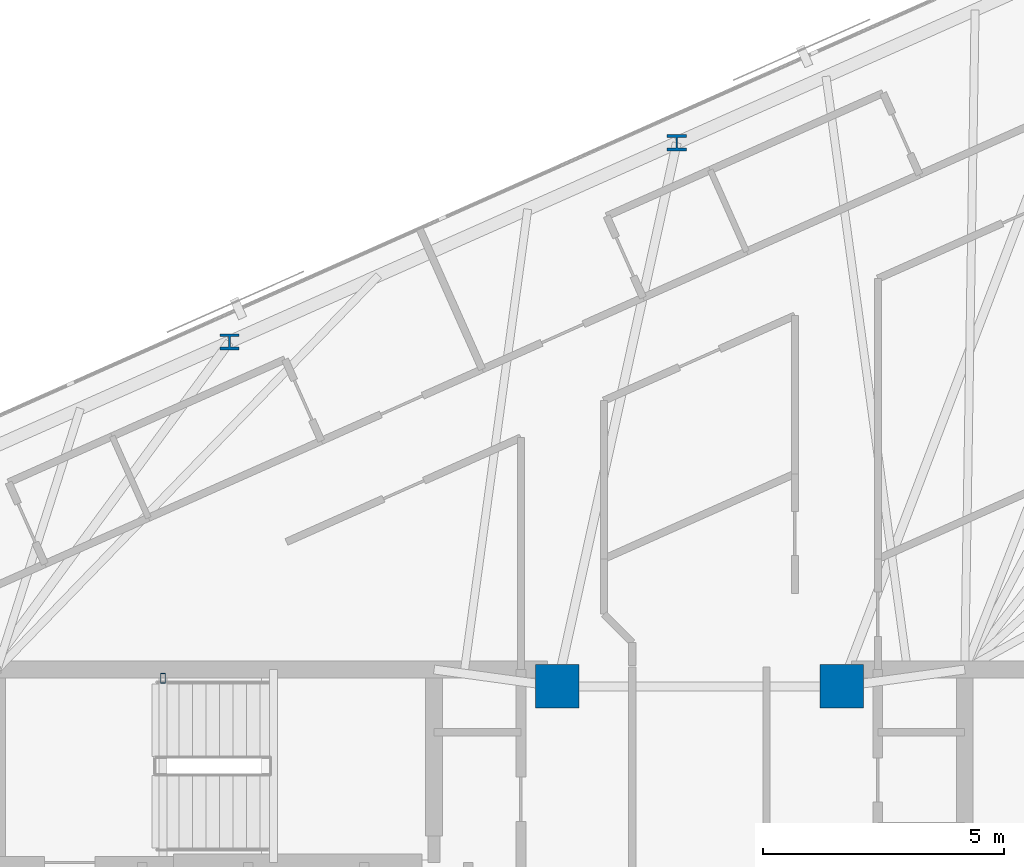
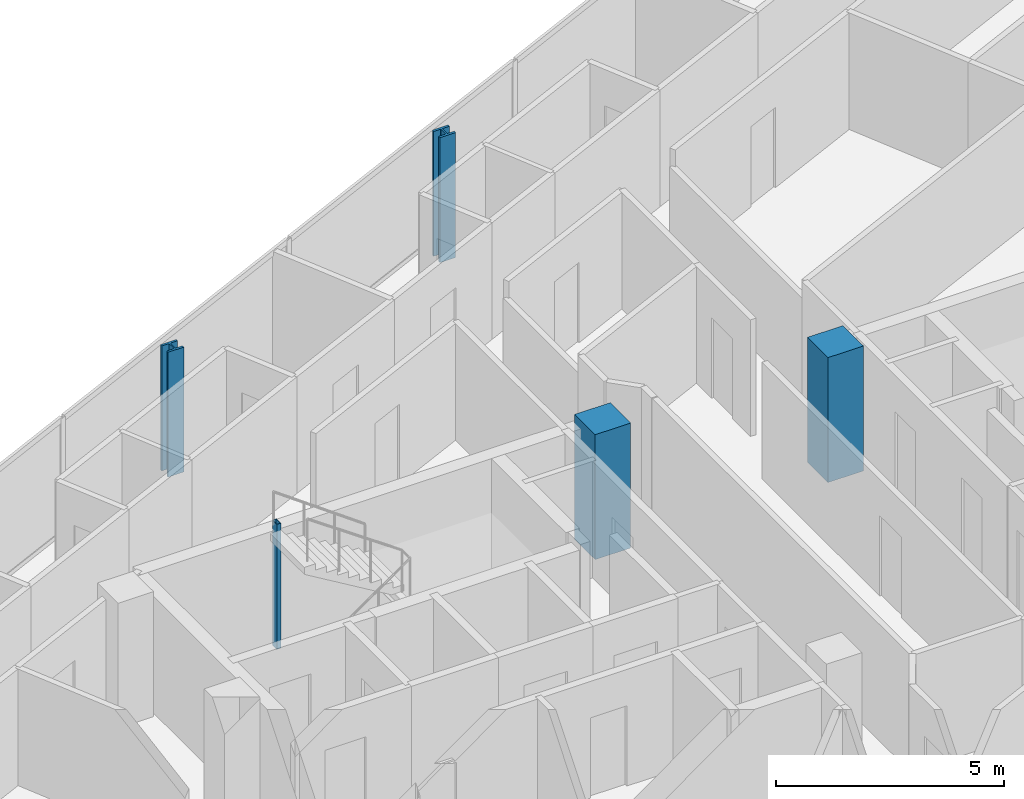
# One storey, part 2 of 19: 5 columns.
"""IFC4 building model written with IfcOpenShell, lengths in metres."""

from ifc_helpers import new_model, si_unit, direction, frame, origin, origin_2d, place, context, subcontext, project, spatial, rectangle, hollow_rectangle, i_section, extrude, material, material_profile, profile_set, type_object, element, save


model = new_model("IFC4")

# Units and contexts
model_context = context("Model", 3, precision=1e-05, world=origin(), true_north=direction((0.0, 1.0)))
body_context = subcontext(model_context, "Body", "Model", "MODEL_VIEW")
ifc_project = project(units=[si_unit("LENGTHUNIT", "METRE"), si_unit("AREAUNIT", "SQUARE_METRE"), si_unit("VOLUMEUNIT", "CUBIC_METRE"), si_unit("PLANEANGLEUNIT", "RADIAN"), si_unit("MASSUNIT", "GRAM", prefix="KILO")], contexts=[model_context])

# Site, building, storey
site_placement = place(None, origin())
site = spatial("IfcSite", under=ifc_project, at=site_placement, CompositionType="ELEMENT")
building_placement = place(site_placement, origin())
building = spatial("IfcBuilding", under=site, at=building_placement, Name="Menara Jurai Vektor", CompositionType="ELEMENT")
storey_placement = place(building_placement, frame((0.0, 0.0, 291.949951171875)))
storey = spatial("IfcBuildingStorey", under=building, at=storey_placement, Name="L78", CompositionType="ELEMENT", Elevation=291.949951171875)

# Columns
ifc_material_1 = material(Name="Concrete C50/60", Category="concrete")
ifc_material_profile_1 = material_profile(ifc_material_1, rectangle(XDim=0.89990234375, YDim=0.89990234375, at=origin_2d()), Name="RC 900x900")
ifc_profile_set_1 = profile_set([ifc_material_profile_1], Name="Concrete C50/60")
column_type_1 = type_object("IfcColumnType", Name="STR-COL-RC900", PredefinedType="COLUMN", material=ifc_profile_set_1)
for number, where, z_axis, x_axis, name in (
    (1, (-2.949951171875, 5.25, 0.0), (0.0, 0.0, 1.0), (1.0, 0.0, 0.0), "Core Spine Column CW-NE L78"),
    (2, (2.949951171875, 5.25, 0.0), (0.0, 0.0, 1.0), (1.0, 0.0, 0.0), "Core Spine Column CE-NW L78"),
):
    element("IfcColumn", number, at=place(storey_placement, frame(where, z_axis=z_axis, x_axis=x_axis)), inside=storey, type_object=column_type_1, Name=name, PredefinedType="COLUMN", context=body_context, shape_type="SweptSolid", body=[
        extrude(rectangle(XDim=0.89990234375, YDim=0.89990234375, at=origin_2d()), origin(), (0.0, 0.0, 1.0), 3.35009765625),
    ])
ifc_material_2 = material(Name="Steel S355", Category="steel")
ifc_material_profile_2 = material_profile(ifc_material_2, hollow_rectangle(XDim=0.10009765625, YDim=0.199951171875, WallThickness=0.008056640625, at=origin_2d()), Name="RHS 200x100x8")
ifc_profile_set_2 = profile_set([ifc_material_profile_2], Name="Steel S355")
column_type_2 = type_object("IfcColumnType", Name="STR-COL-STAIR", PredefinedType="COLUMN", material=ifc_profile_set_2)
column_placement = place(storey_placement, frame((-11.1201171875, 5.419921875, 0.0), z_axis=(0.0, 0.0, 1.0), x_axis=(1.0, 0.0, 0.0)))
element("IfcColumn", 3, at=column_placement, inside=storey, type_object=column_type_2, Name="Stair Well Header Column ST1-P2 L78", PredefinedType="COLUMN", context=body_context, shape_type="SweptSolid", body=[
    extrude(hollow_rectangle(XDim=0.10009765625, YDim=0.199951171875, WallThickness=0.008056640625, at=origin_2d()), origin(), (0.0, 0.0, 1.0), 3.35009765625),
])
ifc_material_3 = material(Name="Steel S460", Category="steel")
ifc_material_profile_3 = material_profile(ifc_material_3, i_section(OverallWidth=0.40087890625, OverallDepth=0.3349609375, WebThickness=0.035888671875, FlangeThickness=0.05810546875, FilletRadius=0.014892578125, at=origin_2d()), Name="HD 400x463")
ifc_profile_set_3 = profile_set([ifc_material_profile_3], Name="Steel S460")
column_type_3 = type_object("IfcColumnType", Name="STR-EXO-BLK5", PredefinedType="COLUMN", material=ifc_profile_set_3)
for number, where, z_axis, x_axis, name in (
    (4, (-0.467529296875, 16.519287109375, 0.0), (0.0, 0.0, 1.0), (1.0, 0.0, 0.0), "Exoskeleton Column BLK5-N3 L78"),
    (5, (-9.740966796875, 12.390380859375, 0.0), (0.0, 0.0, 1.0), (1.0, 0.0, 0.0), "Exoskeleton Column BLK5-N4 L78"),
):
    element("IfcColumn", number, at=place(storey_placement, frame(where, z_axis=z_axis, x_axis=x_axis)), inside=storey, type_object=column_type_3, Name=name, PredefinedType="COLUMN", context=body_context, shape_type="SweptSolid", body=[
        extrude(i_section(OverallWidth=0.40087890625, OverallDepth=0.3349609375, WebThickness=0.035888671875, FlangeThickness=0.05810546875, FilletRadius=0.014892578125, at=origin_2d()), origin(), (0.0, 0.0, 1.0), 3.35009765625),
    ])

save(model, "model.ifc")
